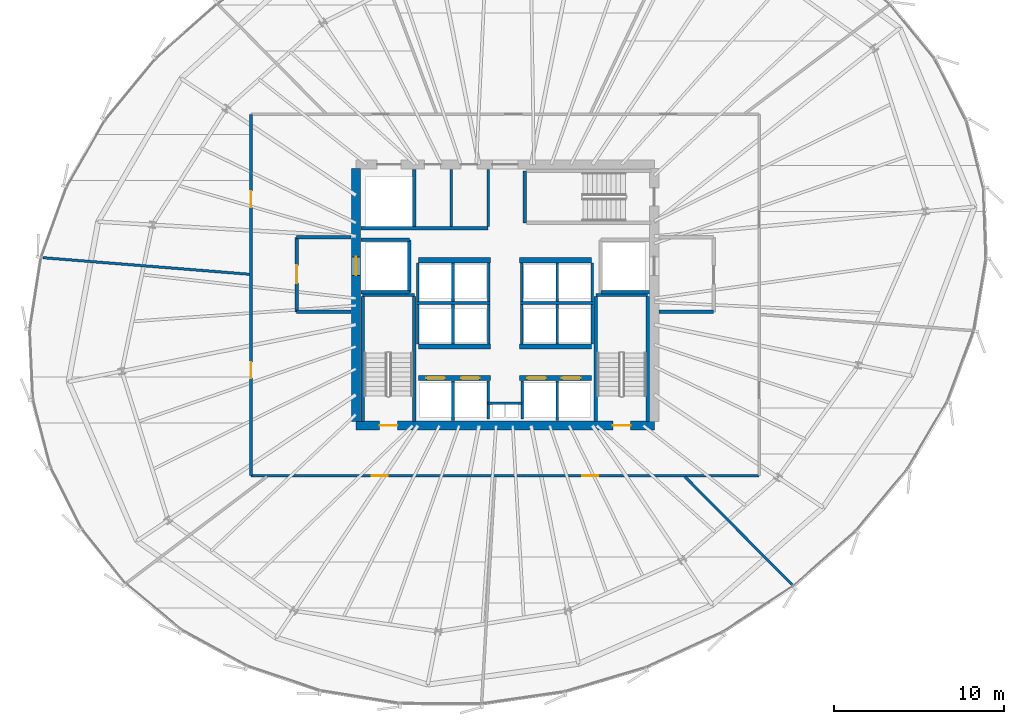
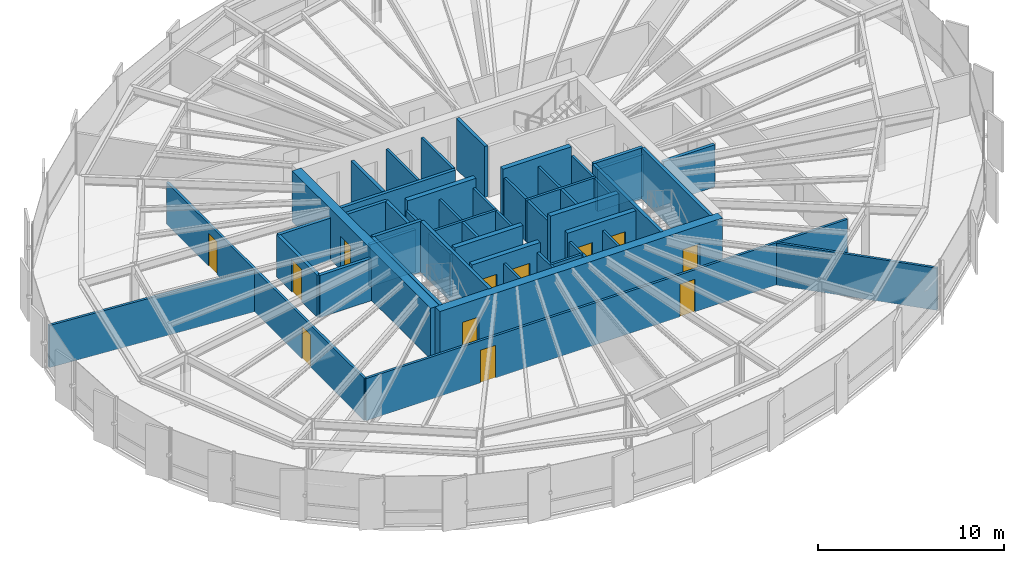
# One storey, part 27 of 33: 50 walls, 12 doors, 12 openings.
"""IFC4 building model written with IfcOpenShell, lengths in metres."""

from ifc_helpers import new_model, si_unit, direction, frame, frame_2d, origin, place, context, subcontext, project, spatial, rectangle, extrude, source, transform, mapped, material, layer, layer_set, type_object, element, fill, save


model = new_model("IFC4")

# Units and contexts
model_context = context("Model", 3, precision=1e-05, world=origin(), true_north=direction((0.0, 1.0)))
body_context = subcontext(model_context, "Body", "Model", "MODEL_VIEW")
ifc_project = project(units=[si_unit("LENGTHUNIT", "METRE"), si_unit("AREAUNIT", "SQUARE_METRE"), si_unit("VOLUMEUNIT", "CUBIC_METRE"), si_unit("PLANEANGLEUNIT", "RADIAN"), si_unit("MASSUNIT", "GRAM", prefix="KILO"), si_unit("THERMODYNAMICTEMPERATUREUNIT", "KELVIN")], contexts=[model_context])

# Site, building, storey
site_placement = place(None, origin())
site = spatial("IfcSite", under=ifc_project, at=site_placement, CompositionType="ELEMENT")
building_placement = place(site_placement, origin())
building = spatial("IfcBuilding", under=site, at=building_placement, Name="Kethvar Cultural Tower", CompositionType="ELEMENT")
storey_placement = place(building_placement, frame((0.0, 0.0, 118.0)))
storey = spatial("IfcBuildingStorey", under=building, at=storey_placement, Name="L29", CompositionType="ELEMENT", Elevation=118.0)

# Wall, openings, doors
ifc_material_1 = material(Name="Concrete C60/75", Category="concrete")
ifc_layer_1 = layer(ifc_material_1, 0.550048828125, Name="Concrete C60/75", Category="concrete")
ifc_layer_set_1 = layer_set([ifc_layer_1], Name="Concrete C60/75 (550 mm)")
wall_type_1 = type_object("IfcWallType", Name="WL-CORE-550", PredefinedType="SHEAR", material=ifc_layer_set_1)
wall_1_placement = place(storey_placement, frame((38.0, 20.10009765625, 0.0), z_axis=(0.0, 0.0, 1.0), x_axis=(1.0, 0.0, 0.0)))
wall_1 = element("IfcWall", 1, at=wall_1_placement, inside=storey, type_object=wall_type_1, Name="L29 Core Shear Wall S", PredefinedType="SHEAR", context=body_context, shape_type="SweptSolid", body=[
    extrude(rectangle(XDim=17.60009765625, YDim=0.550048828125, at=frame_2d((8.800048828125, 0.0))), origin(), (0.0, 0.0, 1.0), 3.35009765625),
])
opening_1_placement = place(wall_1_placement, frame((1.39990234375, 0.0, 0.0)))
opening_1 = element("IfcOpeningElement", 2, at=opening_1_placement, cuts=wall_1, Name="Opening D-L29-S1", PredefinedType="OPENING", context=body_context, shape_type="SweptSolid", body=[
    extrude(rectangle(XDim=1.050048828125, YDim=2.14990234375, at=frame_2d((0.52490234375, 1.074951171875))), frame((0.0, 0.284912109375, 0.0), z_axis=(0.0, -1.0, 0.0), x_axis=(1.0, 0.0, 0.0)), (0.0, 0.0, 1.0), 0.570068359375),
])
opening_2_placement = place(wall_1_placement, frame((15.14990234375, 0.0, 0.0)))
opening_2 = element("IfcOpeningElement", 3, at=opening_2_placement, cuts=wall_1, Name="Opening D-L29-ST2", PredefinedType="OPENING", context=body_context, shape_type="SweptSolid", body=[
    extrude(rectangle(XDim=1.050048828125, YDim=2.14990234375, at=frame_2d((0.52490234375, 1.074951171875))), frame((0.0, 0.284912109375, 0.0), z_axis=(0.0, -1.0, 0.0), x_axis=(1.0, 0.0, 0.0)), (0.0, 0.0, 1.0), 0.570068359375),
])
ifc_material_2 = material(Name="Steel S355J2", Category="steel")
door_type_1 = type_object("IfcDoorType", Name="DR-FD60-1050", OperationType="NOTDEFINED", PredefinedType="DOOR", material=ifc_material_2)
shared_shape_1 = source(origin(), body_context, "Body", "SweptSolid", [
    extrude(rectangle(XDim=1.050048828125, YDim=2.14990234375, at=frame_2d((0.52490234375, 1.074951171875))), frame((0.0, 0.02490234375, 0.0), z_axis=(0.0, -1.0, 0.0), x_axis=(1.0, 0.0, 0.0)), (0.0, 0.0, 1.0), 0.050048828125),
])
door_1_placement = place(opening_1_placement, origin())
door_1 = element("IfcDoor", 4, at=door_1_placement, inside=storey, type_object=door_type_1, Name="L29 Exit Stair 1 Door", OperationType="SINGLE_SWING_LEFT", OverallHeight=2.14990234375, OverallWidth=1.050048828125, PredefinedType="DOOR", context=body_context, shape_type="MappedRepresentation", body=[
    mapped(shared_shape_1, transform((0.0, 0.0, 0.0), scale=1.0)),
])
fill(opening_1, door_1)
door_2_placement = place(opening_2_placement, origin())
door_2 = element("IfcDoor", 5, at=door_2_placement, inside=storey, type_object=door_type_1, Name="L29 Exit Stair 2 Door", OperationType="SINGLE_SWING_RIGHT", OverallHeight=2.14990234375, OverallWidth=1.050048828125, PredefinedType="DOOR", context=body_context, shape_type="MappedRepresentation", body=[
    mapped(shared_shape_1, transform((0.0, 0.0, 0.0), scale=1.0)),
])
fill(opening_2, door_2)

# Wall, opening, door
wall_2_placement = place(storey_placement, frame((38.0, 35.260009765625, 0.0), z_axis=(0.0, 0.0, 1.0), x_axis=(0.0, -1.0, 0.0)))
wall_2 = element("IfcWall", 6, at=wall_2_placement, inside=storey, type_object=wall_type_1, Name="L29 Core Shear Wall W", PredefinedType="SHEAR", context=body_context, shape_type="SweptSolid", body=[
    extrude(rectangle(XDim=14.919921875, YDim=0.550048828125, at=frame_2d((7.4599609375, 0.0))), origin(), (0.0, 0.0, 1.0), 3.35009765625),
])
opening_3_placement = place(wall_2_placement, frame((5.2099609375, 0.0, 0.0)))
opening_3 = element("IfcOpeningElement", 7, at=opening_3_placement, cuts=wall_2, Name="Opening LD-1", PredefinedType="OPENING", context=body_context, shape_type="SweptSolid", body=[
    extrude(rectangle(XDim=1.10009765625, YDim=2.199951171875, at=frame_2d((0.550048828125, 1.10009765625))), frame((0.0, 0.284912109375, 0.0), z_axis=(0.0, -1.0, 0.0), x_axis=(1.0, 0.0, 0.0)), (0.0, 0.0, 1.0), 0.570068359375),
])
door_type_2 = type_object("IfcDoorType", Name="DR-LIFT-SLIDE-1100", OperationType="NOTDEFINED", PredefinedType="DOOR", material=ifc_material_2)
shared_shape_2 = source(origin(), body_context, "Body", "SweptSolid", [
    extrude(rectangle(XDim=1.10009765625, YDim=2.199951171875, at=frame_2d((0.550048828125, 1.10009765625))), frame((0.0, 0.02490234375, 0.0), z_axis=(0.0, -1.0, 0.0), x_axis=(1.0, 0.0, 0.0)), (0.0, 0.0, 1.0), 0.050048828125),
])
door_3_placement = place(opening_3_placement, origin())
door_3 = element("IfcDoor", 8, at=door_3_placement, inside=storey, type_object=door_type_2, Name="L29 Firefighting Lift Landing Door FFL-01", OperationType="SLIDING_TO_LEFT", OverallHeight=2.199951171875, OverallWidth=1.10009765625, PredefinedType="DOOR", context=body_context, shape_type="MappedRepresentation", body=[
    mapped(shared_shape_2, transform((0.0, 0.0, 0.0), scale=1.0)),
])
fill(opening_3, door_3)

# Walls
ifc_material_3 = material(Name="Gypsum Fireboard Partition")
ifc_layer_2 = layer(ifc_material_3, 0.14990234375, Name="Gypsum Fireboard Partition")
ifc_layer_set_2 = layer_set([ifc_layer_2], Name="Gypsum Fireboard Partition (150 mm)")
wall_type_2 = type_object("IfcWallType", Name="WL-FIRE-150", PredefinedType="PARTITIONING", material=ifc_layer_set_2)
wall_3_placement = place(storey_placement, frame((45.800048828125, 21.419921875, 0.0), z_axis=(0.0, 0.0, 1.0), x_axis=(1.0, 0.0, 0.0)))
element("IfcWall", 9, at=wall_3_placement, inside=storey, type_object=wall_type_2, Name="L29 Core Riser Wall", PredefinedType="PARTITIONING", context=body_context, shape_type="SweptSolid", body=[
    extrude(rectangle(XDim=2.0, YDim=0.14990234375, at=frame_2d((1.0, 0.0))), origin(), (0.0, 0.0, 1.0), 2.77490234375),
])
for number, where, z_axis, x_axis, name in (
    (10, (45.800048828125, 20.47998046875, 0.0), (0.0, 0.0, 1.0), (0.0, 1.0, 0.0), "L29 Core Riser West Wall"),
    (11, (47.800048828125, 20.47998046875, 0.0), (0.0, 0.0, 1.0), (0.0, 1.0, 0.0), "L29 Core Riser East Wall"),
):
    element("IfcWall", number, at=place(storey_placement, frame(where, z_axis=z_axis, x_axis=x_axis)), inside=storey, type_object=wall_type_2, Name=name, PredefinedType="PARTITIONING", context=body_context, shape_type="SweptSolid", body=[
        extrude(rectangle(XDim=2.239990234375, YDim=0.14990234375, at=frame_2d((1.1201171875, 0.0))), origin(), (0.0, 0.0, 1.0), 2.77490234375),
    ])
for number, where, z_axis, x_axis, name in (
    (12, (43.72509765625, 20.385009765625, 0.0), (0.0, 0.0, 1.0), (0.0, 1.0, 0.0), "L29 Low-Rise Lift Shaft Divider W"),
    (13, (49.875, 20.385009765625, 0.0), (0.0, 0.0, 1.0), (0.0, 1.0, 0.0), "L29 Low-Rise Lift Shaft Divider E"),
):
    element("IfcWall", number, at=place(storey_placement, frame(where, z_axis=z_axis, x_axis=x_axis)), inside=storey, type_object=wall_type_2, Name=name, PredefinedType="PARTITIONING", context=body_context, shape_type="SweptSolid", body=[
        extrude(rectangle(XDim=2.344970703125, YDim=0.14990234375, at=frame_2d((1.17236328125, 0.0))), origin(), (0.0, 0.0, 1.0), 2.77490234375),
    ])
wall_4_placement = place(storey_placement, frame((41.580078125, 27.324951171875, 0.0), z_axis=(0.0, 0.0, 1.0), x_axis=(1.0, 0.0, 0.0)))
element("IfcWall", 14, at=wall_4_placement, inside=storey, type_object=wall_type_2, Name="L29 Mid-High Lift Shaft Back Wall W", PredefinedType="PARTITIONING", context=body_context, shape_type="SweptSolid", body=[
    extrude(rectangle(XDim=4.31982421875, YDim=0.14990234375, at=frame_2d((2.159912109375, 0.0))), origin(), (0.0, 0.0, 1.0), 2.77490234375),
])
wall_5_placement = place(storey_placement, frame((47.699951171875, 27.324951171875, 0.0), z_axis=(0.0, 0.0, 1.0), x_axis=(1.0, 0.0, 0.0)))
element("IfcWall", 15, at=wall_5_placement, inside=storey, type_object=wall_type_2, Name="L29 Mid-High Lift Shaft Back Wall E", PredefinedType="PARTITIONING", context=body_context, shape_type="SweptSolid", body=[
    extrude(rectangle(XDim=4.320068359375, YDim=0.14990234375, at=frame_2d((2.16015625, 0.0))), origin(), (0.0, 0.0, 1.0), 2.77490234375),
])
for number, where, z_axis, x_axis, name in (
    (16, (41.64990234375, 24.919921875, 0.0), (0.0, 0.0, 1.0), (0.0, 1.0, 0.0), "L29 Mid-Rise Lift Shaft Outer Wall W"),
    (17, (43.72509765625, 24.919921875, 0.0), (0.0, 0.0, 1.0), (0.0, 1.0, 0.0), "L29 Mid-Rise Lift Shaft Divider W"),
    (18, (45.824951171875, 24.919921875, 0.0), (0.0, 0.0, 1.0), (0.0, 1.0, 0.0), "L29 Mid-Rise Lift Shaft Concourse Wall W"),
    (19, (47.77490234375, 24.919921875, 0.0), (0.0, 0.0, 1.0), (0.0, 1.0, 0.0), "L29 Mid-Rise Lift Shaft Concourse Wall E"),
    (20, (49.875, 24.919921875, 0.0), (0.0, 0.0, 1.0), (0.0, 1.0, 0.0), "L29 Mid-Rise Lift Shaft Divider E"),
    (21, (51.949951171875, 24.919921875, 0.0), (0.0, 0.0, 1.0), (0.0, 1.0, 0.0), "L29 Mid-Rise Lift Shaft Outer Wall E"),
):
    element("IfcWall", number, at=place(storey_placement, frame(where, z_axis=z_axis, x_axis=x_axis)), inside=storey, type_object=wall_type_2, Name=name, PredefinedType="PARTITIONING", context=body_context, shape_type="SweptSolid", body=[
        extrude(rectangle(XDim=2.320068359375, YDim=0.14990234375, at=frame_2d((1.16015625, 0.0))), origin(), (0.0, 0.0, 1.0), 2.77490234375),
    ])
for number, where, z_axis, x_axis, name in (
    (22, (41.64990234375, 27.409912109375, 0.0), (0.0, 0.0, 1.0), (0.0, 1.0, 0.0), "L29 High-Rise Lift Shaft Outer Wall W"),
    (23, (43.72509765625, 27.409912109375, 0.0), (0.0, 0.0, 1.0), (0.0, 1.0, 0.0), "L29 High-Rise Lift Shaft Divider W"),
    (24, (45.824951171875, 27.409912109375, 0.0), (0.0, 0.0, 1.0), (0.0, 1.0, 0.0), "L29 High-Rise Lift Shaft Concourse Wall W"),
    (25, (47.77490234375, 27.409912109375, 0.0), (0.0, 0.0, 1.0), (0.0, 1.0, 0.0), "L29 High-Rise Lift Shaft Concourse Wall E"),
    (26, (49.875, 27.409912109375, 0.0), (0.0, 0.0, 1.0), (0.0, 1.0, 0.0), "L29 High-Rise Lift Shaft Divider E"),
    (27, (51.949951171875, 27.409912109375, 0.0), (0.0, 0.0, 1.0), (0.0, 1.0, 0.0), "L29 High-Rise Lift Shaft Outer Wall E"),
):
    element("IfcWall", number, at=place(storey_placement, frame(where, z_axis=z_axis, x_axis=x_axis)), inside=storey, type_object=wall_type_2, Name=name, PredefinedType="PARTITIONING", context=body_context, shape_type="SweptSolid", body=[
        extrude(rectangle(XDim=2.27001953125, YDim=0.14990234375, at=frame_2d((1.135009765625, 0.0))), origin(), (0.0, 0.0, 1.0), 2.77490234375),
    ])
wall_6_placement = place(storey_placement, frame((45.800048828125, 31.85009765625, 0.0), z_axis=(0.0, 0.0, 1.0), x_axis=(0.0, 1.0, 0.0)))
element("IfcWall", 28, at=wall_6_placement, inside=storey, type_object=wall_type_2, Name="L29 Sanitary Spine Wall", PredefinedType="PARTITIONING", context=body_context, shape_type="SweptSolid", body=[
    extrude(rectangle(XDim=3.364990234375, YDim=0.14990234375, at=frame_2d((1.6826171875, 0.0))), origin(), (0.0, 0.0, 1.0), 2.77490234375),
])

# Wall, openings, doors
wall_7_placement = place(storey_placement, frame((31.81005859375, 17.139892578125, 0.0), z_axis=(0.0, 0.0, 1.0), x_axis=(1.0, 0.0, 0.0)))
wall_7 = element("IfcWall", 29, at=wall_7_placement, inside=storey, type_object=wall_type_2, Name="L29 Corridor Rated Wall S", PredefinedType="PARTITIONING", context=body_context, shape_type="SweptSolid", body=[
    extrude(rectangle(XDim=29.97998046875, YDim=0.14990234375, at=frame_2d((14.989990234375, 0.0))), origin(), (0.0, 0.0, 1.0), 2.77490234375),
])
opening_4_placement = place(wall_7_placement, frame((7.12890625, 0.0, 0.0)))
opening_4 = element("IfcOpeningElement", 30, at=opening_4_placement, cuts=wall_7, Name="Opening D-L29-01", PredefinedType="OPENING", context=body_context, shape_type="SweptSolid", body=[
    extrude(rectangle(XDim=0.949951171875, YDim=2.14990234375, at=frame_2d((0.47509765625, 1.074951171875))), frame((0.0, 0.0849609375, 0.0), z_axis=(0.0, -1.0, 0.0), x_axis=(1.0, 0.0, 0.0)), (0.0, 0.0, 1.0), 0.169921875),
])
opening_5_placement = place(wall_7_placement, frame((19.54443359375, 0.0, 0.0)))
opening_5 = element("IfcOpeningElement", 31, at=opening_5_placement, cuts=wall_7, Name="Opening D-L29-02", PredefinedType="OPENING", context=body_context, shape_type="SweptSolid", body=[
    extrude(rectangle(XDim=0.949951171875, YDim=2.14990234375, at=frame_2d((0.47509765625, 1.074951171875))), frame((0.0, 0.0849609375, 0.0), z_axis=(0.0, -1.0, 0.0), x_axis=(1.0, 0.0, 0.0)), (0.0, 0.0, 1.0), 0.169921875),
])
ifc_material_4 = material(Name="Architectural Oak Timber", Category="wood")
door_type_3 = type_object("IfcDoorType", Name="DR-FD30-950", OperationType="NOTDEFINED", PredefinedType="DOOR", material=ifc_material_4)
shared_shape_3 = source(origin(), body_context, "Body", "SweptSolid", [
    extrude(rectangle(XDim=0.949951171875, YDim=2.14990234375, at=frame_2d((0.47509765625, 1.074951171875))), frame((0.0, 0.02490234375, 0.0), z_axis=(0.0, -1.0, 0.0), x_axis=(1.0, 0.0, 0.0)), (0.0, 0.0, 1.0), 0.050048828125),
])
door_4_placement = place(opening_4_placement, origin())
door_4 = element("IfcDoor", 32, at=door_4_placement, inside=storey, type_object=door_type_3, Name="L29 Exhibition Print Shop 01 Door", OperationType="SINGLE_SWING_RIGHT", OverallHeight=2.14990234375, OverallWidth=0.949951171875, PredefinedType="DOOR", context=body_context, shape_type="MappedRepresentation", body=[
    mapped(shared_shape_3, transform((0.0, 0.0, 0.0), scale=1.0)),
])
fill(opening_4, door_4)
door_5_placement = place(opening_5_placement, origin())
door_5 = element("IfcDoor", 33, at=door_5_placement, inside=storey, type_object=door_type_3, Name="L29 Art Monograph Boutique 02 Door", OperationType="SINGLE_SWING_LEFT", OverallHeight=2.14990234375, OverallWidth=0.949951171875, PredefinedType="DOOR", context=body_context, shape_type="MappedRepresentation", body=[
    mapped(shared_shape_3, transform((0.0, 0.0, 0.0), scale=1.0)),
])
fill(opening_5, door_5)

wall_8_placement = place(storey_placement, frame((31.81005859375, 38.4599609375, 0.0), z_axis=(0.0, 0.0, 1.0), x_axis=(0.0, -1.0, 0.0)))
wall_8 = element("IfcWall", 34, at=wall_8_placement, inside=storey, type_object=wall_type_2, Name="L29 Corridor Rated Wall W", PredefinedType="PARTITIONING", context=body_context, shape_type="SweptSolid", body=[
    extrude(rectangle(XDim=21.320068359375, YDim=0.14990234375, at=frame_2d((10.66015625, 0.0))), origin(), (0.0, 0.0, 1.0), 2.77490234375),
])
opening_6_placement = place(wall_8_placement, frame((4.5380859375, 0.0, 0.0)))
opening_6 = element("IfcOpeningElement", 35, at=opening_6_placement, cuts=wall_8, Name="Opening D-L29-08", PredefinedType="OPENING", context=body_context, shape_type="SweptSolid", body=[
    extrude(rectangle(XDim=0.949951171875, YDim=2.14990234375, at=frame_2d((0.47509765625, 1.074951171875))), frame((0.0, 0.0849609375, 0.0), z_axis=(0.0, -1.0, 0.0), x_axis=(1.0, 0.0, 0.0)), (0.0, 0.0, 1.0), 0.169921875),
])
opening_7_placement = place(wall_8_placement, frame((14.617919921875, 0.0, 0.0)))
opening_7 = element("IfcOpeningElement", 36, at=opening_7_placement, cuts=wall_8, Name="Opening D-L29-09", PredefinedType="OPENING", context=body_context, shape_type="SweptSolid", body=[
    extrude(rectangle(XDim=0.949951171875, YDim=2.14990234375, at=frame_2d((0.47509765625, 1.074951171875))), frame((0.0, 0.0849609375, 0.0), z_axis=(0.0, -1.0, 0.0), x_axis=(1.0, 0.0, 0.0)), (0.0, 0.0, 1.0), 0.169921875),
])
door_6_placement = place(opening_6_placement, origin())
door_6 = element("IfcDoor", 37, at=door_6_placement, inside=storey, type_object=door_type_3, Name="L29 Docent Espresso Pantry 08 Door", OperationType="SINGLE_SWING_LEFT", OverallHeight=2.14990234375, OverallWidth=0.949951171875, PredefinedType="DOOR", context=body_context, shape_type="MappedRepresentation", body=[
    mapped(shared_shape_3, transform((0.0, 0.0, 0.0), scale=1.0)),
])
fill(opening_6, door_6)
door_7_placement = place(opening_7_placement, origin())
door_7 = element("IfcDoor", 38, at=door_7_placement, inside=storey, type_object=door_type_3, Name="L29 Scholars' Den Lounge 09 Door", OperationType="SINGLE_SWING_RIGHT", OverallHeight=2.14990234375, OverallWidth=0.949951171875, PredefinedType="DOOR", context=body_context, shape_type="MappedRepresentation", body=[
    mapped(shared_shape_3, transform((0.0, 0.0, 0.0), scale=1.0)),
])
fill(opening_7, door_7)

# Walls
ifc_material_5 = material(Name="Concrete C40/50", Category="concrete")
ifc_layer_3 = layer(ifc_material_5, 0.199951171875, Name="Concrete C40/50", Category="concrete")
ifc_layer_set_3 = layer_set([ifc_layer_3], Name="Concrete C40/50 (200 mm)")
wall_type_3 = type_object("IfcWallType", Name="WL-FIRE-200", PredefinedType="PARTITIONING", material=ifc_layer_set_3)
wall_9_placement = place(storey_placement, frame((41.14990234375, 27.949951171875, 0.0), z_axis=(0.0, 0.0, 1.0), x_axis=(0.0, 1.0, 0.0)))
element("IfcWall", 39, at=wall_9_placement, inside=storey, type_object=wall_type_3, Name="L29 FFL-01 Shaft Inner Wall", PredefinedType="PARTITIONING", context=body_context, shape_type="SweptSolid", body=[
    extrude(rectangle(XDim=3.10009765625, YDim=0.199951171875, at=frame_2d((1.550048828125, 0.0))), origin(), (0.0, 0.0, 1.0), 2.77490234375),
])
for number, where, z_axis, x_axis, name in (
    (40, (38.284912109375, 27.949951171875, 0.0), (0.0, 0.0, 1.0), (1.0, 0.0, 0.0), "L29 FFL-01 Shaft South Wall"),
    (41, (38.284912109375, 31.050048828125, 0.0), (0.0, 0.0, 1.0), (1.0, 0.0, 0.0), "L29 FFL-01 Shaft North Wall"),
):
    element("IfcWall", number, at=place(storey_placement, frame(where, z_axis=z_axis, x_axis=x_axis)), inside=storey, type_object=wall_type_3, Name=name, PredefinedType="PARTITIONING", context=body_context, shape_type="SweptSolid", body=[
        extrude(rectangle(XDim=2.864990234375, YDim=0.199951171875, at=frame_2d((1.4326171875, 0.0))), origin(), (0.0, 0.0, 1.0), 2.77490234375),
    ])

# Wall, opening, door
wall_10_placement = place(storey_placement, frame((34.5, 31.199951171875, 0.0), z_axis=(0.0, 0.0, 1.0), x_axis=(0.0, -1.0, 0.0)))
wall_10 = element("IfcWall", 42, at=wall_10_placement, inside=storey, type_object=wall_type_3, Name="L29 Firefighting Lobby 1 Wall", PredefinedType="PARTITIONING", context=body_context, shape_type="SweptSolid", body=[
    extrude(rectangle(XDim=4.39990234375, YDim=0.199951171875, at=frame_2d((2.199951171875, 0.0))), origin(), (0.0, 0.0, 1.0), 2.77490234375),
])
opening_8_placement = place(wall_10_placement, frame((1.64990234375, 0.0, 0.0)))
opening_8 = element("IfcOpeningElement", 43, at=opening_8_placement, cuts=wall_10, Name="Opening D-L29-F1", PredefinedType="OPENING", context=body_context, shape_type="SweptSolid", body=[
    extrude(rectangle(XDim=1.050048828125, YDim=2.14990234375, at=frame_2d((0.52490234375, 1.074951171875))), frame((0.0, 0.10986328125, 0.0), z_axis=(0.0, -1.0, 0.0), x_axis=(1.0, 0.0, 0.0)), (0.0, 0.0, 1.0), 0.219970703125),
])
door_8_placement = place(opening_8_placement, origin())
door_8 = element("IfcDoor", 44, at=door_8_placement, inside=storey, type_object=door_type_1, Name="L29 Firefighting Lobby 1 Fire Door", OperationType="SINGLE_SWING_LEFT", OverallHeight=2.14990234375, OverallWidth=1.050048828125, PredefinedType="DOOR", context=body_context, shape_type="MappedRepresentation", body=[
    mapped(shared_shape_1, transform((0.0, 0.0, 0.0), scale=1.0)),
])
fill(opening_8, door_8)

# Walls
for number, where, z_axis, x_axis, name in (
    (45, (34.5, 26.800048828125, 0.0), (0.0, 0.0, 1.0), (1.0, 0.0, 0.0), "L29 FF Lobby 1 South Wall"),
    (46, (34.5, 31.199951171875, 0.0), (0.0, 0.0, 1.0), (1.0, 0.0, 0.0), "L29 FF Lobby 1 North Wall"),
):
    element("IfcWall", number, at=place(storey_placement, frame(where, z_axis=z_axis, x_axis=x_axis)), inside=storey, type_object=wall_type_3, Name=name, PredefinedType="PARTITIONING", context=body_context, shape_type="SweptSolid", body=[
        extrude(rectangle(XDim=3.215087890625, YDim=0.199951171875, at=frame_2d((1.607421875, 0.0))), origin(), (0.0, 0.0, 1.0), 2.77490234375),
    ])
wall_11_placement = place(storey_placement, frame((52.449951171875, 27.949951171875, 0.0), z_axis=(0.0, 0.0, 1.0), x_axis=(1.0, 0.0, 0.0)))
element("IfcWall", 47, at=wall_11_placement, inside=storey, type_object=wall_type_3, Name="L29 FFL-02 Shaft South Wall", PredefinedType="PARTITIONING", context=body_context, shape_type="SweptSolid", body=[
    extrude(rectangle(XDim=2.864990234375, YDim=0.199951171875, at=frame_2d((1.4326171875, 0.0))), origin(), (0.0, 0.0, 1.0), 2.77490234375),
])
wall_12_placement = place(storey_placement, frame((55.885009765625, 26.800048828125, 0.0), z_axis=(0.0, 0.0, 1.0), x_axis=(1.0, 0.0, 0.0)))
element("IfcWall", 48, at=wall_12_placement, inside=storey, type_object=wall_type_3, Name="L29 FF Lobby 2 South Wall", PredefinedType="PARTITIONING", context=body_context, shape_type="SweptSolid", body=[
    extrude(rectangle(XDim=3.215087890625, YDim=0.199951171875, at=frame_2d((1.607421875, 0.0))), origin(), (0.0, 0.0, 1.0), 2.77490234375),
])
wall_13_placement = place(storey_placement, frame((41.449951171875, 31.85009765625, 0.0), z_axis=(0.0, 0.0, 1.0), x_axis=(0.0, 1.0, 0.0)))
element("IfcWall", 49, at=wall_13_placement, inside=storey, type_object=wall_type_3, Name="L29 NW Core Pocket Wall", PredefinedType="PARTITIONING", context=body_context, shape_type="SweptSolid", body=[
    extrude(rectangle(XDim=3.364990234375, YDim=0.199951171875, at=frame_2d((1.6826171875, 0.0))), origin(), (0.0, 0.0, 1.0), 2.77490234375),
])
wall_14_placement = place(storey_placement, frame((38.284912109375, 31.72998046875, 0.0), z_axis=(0.0, 0.0, 1.0), x_axis=(1.0, 0.0, 0.0)))
element("IfcWall", 50, at=wall_14_placement, inside=storey, type_object=wall_type_3, Name="L29 North Core Sanitary South Wall", PredefinedType="PARTITIONING", context=body_context, shape_type="SweptSolid", body=[
    extrude(rectangle(XDim=7.51513671875, YDim=0.199951171875, at=frame_2d((3.757568359375, 0.0))), origin(), (0.0, 0.0, 1.0), 2.77490234375),
])
ifc_material_6 = material(Name="Gypsum Acoustic Partition")
ifc_layer_4 = layer(ifc_material_6, 0.14990234375, Name="Gypsum Acoustic Partition")
ifc_layer_set_4 = layer_set([ifc_layer_4], Name="Gypsum Acoustic Partition (150 mm)")
wall_type_4 = type_object("IfcWallType", Name="WL-PART-150", PredefinedType="PARTITIONING", material=ifc_layer_set_4)
wall_15_placement = place(storey_placement, frame((57.405029296875, 17.083251953125, 0.0), z_axis=(0.0, 0.0, 1.0), x_axis=(0.703901110521, -0.710297984375, 0.0)))
element("IfcWall", 51, at=wall_15_placement, inside=storey, type_object=wall_type_4, Name="L29 Radial Partition Wall 03", PredefinedType="PARTITIONING", context=body_context, shape_type="SweptSolid", body=[
    extrude(rectangle(XDim=8.968994140625, YDim=0.14990234375, at=frame_2d((4.484375, 0.0))), origin(), (0.0, 0.0, 1.0), 2.77490234375),
])
wall_16_placement = place(storey_placement, frame((31.730224609375, 29.02001953125, 0.0), z_axis=(0.0, 0.0, 1.0), x_axis=(-0.99679742231, 0.079968111622, 0.0)))
element("IfcWall", 52, at=wall_16_placement, inside=storey, type_object=wall_type_4, Name="L29 Radial Partition Wall 09", PredefinedType="PARTITIONING", context=body_context, shape_type="SweptSolid", body=[
    extrude(rectangle(XDim=12.233154296875, YDim=0.14990234375, at=frame_2d((6.11669921875, 0.0))), origin(), (0.0, 0.0, 1.0), 2.77490234375),
])
ifc_material_7 = material(Name="Moisture-Resistant Sanitary Chase Wall")
ifc_layer_5 = layer(ifc_material_7, 0.14990234375, Name="Moisture-Resistant Sanitary Chase Wall")
ifc_layer_set_5 = layer_set([ifc_layer_5], Name="Moisture-Resistant Sanitary Chase Wall (150 mm)")
wall_type_5 = type_object("IfcWallType", Name="WL-PLUMB-150", PredefinedType="PLUMBINGWALL", material=ifc_layer_set_5)
wall_17_placement = place(storey_placement, frame((43.6201171875, 31.85009765625, 0.0), z_axis=(0.0, 0.0, 1.0), x_axis=(0.0, 1.0, 0.0)))
element("IfcWall", 53, at=wall_17_placement, inside=storey, type_object=wall_type_5, Name="L29 Sanitary Plumbing Wall", PredefinedType="PLUMBINGWALL", context=body_context, shape_type="SweptSolid", body=[
    extrude(rectangle(XDim=3.364990234375, YDim=0.14990234375, at=frame_2d((1.6826171875, 0.0))), origin(), (0.0, 0.0, 1.0), 2.77490234375),
])

# Wall, openings, doors
ifc_material_8 = material(Name="Concrete C50/60", Category="concrete")
ifc_layer_6 = layer(ifc_material_8, 0.300048828125, Name="Concrete C50/60", Category="concrete")
ifc_layer_set_6 = layer_set([ifc_layer_6], Name="Concrete C50/60 (300 mm)")
wall_type_6 = type_object("IfcWallType", Name="WL-SHAFT-300", PredefinedType="SHEAR", material=ifc_layer_set_6)
wall_18_placement = place(storey_placement, frame((41.699951171875, 22.89990234375, 0.0), z_axis=(0.0, 0.0, 1.0), x_axis=(1.0, 0.0, 0.0)))
wall_18 = element("IfcWall", 54, at=wall_18_placement, inside=storey, type_object=wall_type_6, Name="L29 Core Lift Spine Wall MID1W", PredefinedType="SHEAR", context=body_context, shape_type="SweptSolid", body=[
    extrude(rectangle(XDim=4.25, YDim=0.300048828125, at=frame_2d((2.125, 0.0))), origin(), (0.0, 0.0, 1.0), 3.35009765625),
])
opening_9_placement = place(wall_18_placement, frame((0.449951171875, 0.0, 0.0)))
opening_9 = element("IfcOpeningElement", 55, at=opening_9_placement, cuts=wall_18, Name="Opening LD-L1", PredefinedType="OPENING", context=body_context, shape_type="SweptSolid", body=[
    extrude(rectangle(XDim=1.10009765625, YDim=2.199951171875, at=frame_2d((0.550048828125, 1.10009765625))), frame((0.0, 0.159912109375, 0.0), z_axis=(0.0, -1.0, 0.0), x_axis=(1.0, 0.0, 0.0)), (0.0, 0.0, 1.0), 0.320068359375),
])
opening_10_placement = place(wall_18_placement, frame((2.5, 0.0, 0.0)))
opening_10 = element("IfcOpeningElement", 56, at=opening_10_placement, cuts=wall_18, Name="Opening LD-L2", PredefinedType="OPENING", context=body_context, shape_type="SweptSolid", body=[
    extrude(rectangle(XDim=1.10009765625, YDim=2.199951171875, at=frame_2d((0.550048828125, 1.10009765625))), frame((0.0, 0.159912109375, 0.0), z_axis=(0.0, -1.0, 0.0), x_axis=(1.0, 0.0, 0.0)), (0.0, 0.0, 1.0), 0.320068359375),
])
door_9_placement = place(opening_9_placement, origin())
door_9 = element("IfcDoor", 57, at=door_9_placement, inside=storey, type_object=door_type_2, Name="L29 Low-Rise Lift Landing Door L1", OperationType="SLIDING_TO_LEFT", OverallHeight=2.199951171875, OverallWidth=1.10009765625, PredefinedType="DOOR", context=body_context, shape_type="MappedRepresentation", body=[
    mapped(shared_shape_2, transform((0.0, 0.0, 0.0), scale=1.0)),
])
fill(opening_9, door_9)
door_10_placement = place(opening_10_placement, origin())
door_10 = element("IfcDoor", 58, at=door_10_placement, inside=storey, type_object=door_type_2, Name="L29 Low-Rise Lift Landing Door L2", OperationType="SLIDING_TO_LEFT", OverallHeight=2.199951171875, OverallWidth=1.10009765625, PredefinedType="DOOR", context=body_context, shape_type="MappedRepresentation", body=[
    mapped(shared_shape_2, transform((0.0, 0.0, 0.0), scale=1.0)),
])
fill(opening_10, door_10)

wall_19_placement = place(storey_placement, frame((47.64990234375, 22.89990234375, 0.0), z_axis=(0.0, 0.0, 1.0), x_axis=(1.0, 0.0, 0.0)))
wall_19 = element("IfcWall", 59, at=wall_19_placement, inside=storey, type_object=wall_type_6, Name="L29 Core Lift Spine Wall MID1E", PredefinedType="SHEAR", context=body_context, shape_type="SweptSolid", body=[
    extrude(rectangle(XDim=4.25, YDim=0.300048828125, at=frame_2d((2.125, 0.0))), origin(), (0.0, 0.0, 1.0), 3.35009765625),
])
opening_11_placement = place(wall_19_placement, frame((0.449951171875, 0.0, 0.0)))
opening_11 = element("IfcOpeningElement", 60, at=opening_11_placement, cuts=wall_19, Name="Opening LD-L3", PredefinedType="OPENING", context=body_context, shape_type="SweptSolid", body=[
    extrude(rectangle(XDim=1.10009765625, YDim=2.199951171875, at=frame_2d((0.550048828125, 1.10009765625))), frame((0.0, 0.159912109375, 0.0), z_axis=(0.0, -1.0, 0.0), x_axis=(1.0, 0.0, 0.0)), (0.0, 0.0, 1.0), 0.320068359375),
])
opening_12_placement = place(wall_19_placement, frame((2.5, 0.0, 0.0)))
opening_12 = element("IfcOpeningElement", 61, at=opening_12_placement, cuts=wall_19, Name="Opening LD-L4", PredefinedType="OPENING", context=body_context, shape_type="SweptSolid", body=[
    extrude(rectangle(XDim=1.10009765625, YDim=2.199951171875, at=frame_2d((0.550048828125, 1.10009765625))), frame((0.0, 0.159912109375, 0.0), z_axis=(0.0, -1.0, 0.0), x_axis=(1.0, 0.0, 0.0)), (0.0, 0.0, 1.0), 0.320068359375),
])
door_11_placement = place(opening_11_placement, origin())
door_11 = element("IfcDoor", 62, at=door_11_placement, inside=storey, type_object=door_type_2, Name="L29 Low-Rise Lift Landing Door L3", OperationType="SLIDING_TO_LEFT", OverallHeight=2.199951171875, OverallWidth=1.10009765625, PredefinedType="DOOR", context=body_context, shape_type="MappedRepresentation", body=[
    mapped(shared_shape_2, transform((0.0, 0.0, 0.0), scale=1.0)),
])
fill(opening_11, door_11)
door_12_placement = place(opening_12_placement, origin())
door_12 = element("IfcDoor", 63, at=door_12_placement, inside=storey, type_object=door_type_2, Name="L29 Low-Rise Lift Landing Door L4", OperationType="SLIDING_TO_LEFT", OverallHeight=2.199951171875, OverallWidth=1.10009765625, PredefinedType="DOOR", context=body_context, shape_type="MappedRepresentation", body=[
    mapped(shared_shape_2, transform((0.0, 0.0, 0.0), scale=1.0)),
])
fill(opening_12, door_12)

# Walls
for number, where, z_axis, x_axis, name in (
    (64, (41.699951171875, 24.75, 0.0), (0.0, 0.0, 1.0), (1.0, 0.0, 0.0), "L29 Core Lift Spine Wall MID2W"),
    (65, (47.64990234375, 24.75, 0.0), (0.0, 0.0, 1.0), (1.0, 0.0, 0.0), "L29 Core Lift Spine Wall MID2E"),
    (66, (41.699951171875, 29.85009765625, 0.0), (0.0, 0.0, 1.0), (1.0, 0.0, 0.0), "L29 Core Lift Spine Wall MID3W"),
    (67, (47.64990234375, 29.85009765625, 0.0), (0.0, 0.0, 1.0), (1.0, 0.0, 0.0), "L29 Core Lift Spine Wall MID3E"),
):
    element("IfcWall", number, at=place(storey_placement, frame(where, z_axis=z_axis, x_axis=x_axis)), inside=storey, type_object=wall_type_6, Name=name, PredefinedType="SHEAR", context=body_context, shape_type="SweptSolid", body=[
        extrude(rectangle(XDim=4.25, YDim=0.300048828125, at=frame_2d((2.125, 0.0))), origin(), (0.0, 0.0, 1.0), 3.35009765625),
    ])
ifc_layer_7 = layer(ifc_material_8, 0.199951171875, Name="Concrete C50/60", Category="concrete")
ifc_layer_set_7 = layer_set([ifc_layer_7], Name="Concrete C50/60 (200 mm)")
wall_type_7 = type_object("IfcWallType", Name="WL-STSHAFT-200", PredefinedType="SHEAR", material=ifc_layer_set_7)
wall_20_placement = place(storey_placement, frame((38.389892578125, 27.800048828125, 0.0), z_axis=(0.0, 0.0, 1.0), x_axis=(1.0, 0.0, 0.0)))
element("IfcWall", 68, at=wall_20_placement, inside=storey, type_object=wall_type_7, Name="L29 ST-01 Stair Shaft Wall FAR", PredefinedType="SHEAR", context=body_context, shape_type="SweptSolid", body=[
    extrude(rectangle(XDim=3.06005859375, YDim=0.199951171875, at=frame_2d((1.530029296875, 0.0))), origin(), (0.0, 0.0, 1.0), 3.35009765625),
])
for number, where, z_axis, x_axis, name in (
    (69, (41.449951171875, 27.699951171875, 0.0), (0.0, 0.0, 1.0), (0.0, -1.0, 0.0), "L29 ST-01 Stair Shaft Wall LEFT"),
    (70, (38.389892578125, 20.35009765625, 0.0), (0.0, 0.0, 1.0), (0.0, 1.0, 0.0), "L29 ST-01 Stair Shaft Wall RIGHT"),
):
    element("IfcWall", number, at=place(storey_placement, frame(where, z_axis=z_axis, x_axis=x_axis)), inside=storey, type_object=wall_type_7, Name=name, PredefinedType="SHEAR", context=body_context, shape_type="SweptSolid", body=[
        extrude(rectangle(XDim=7.349853515625, YDim=0.199951171875, at=frame_2d((3.6748046875, 0.0))), origin(), (0.0, 0.0, 1.0), 3.35009765625),
    ])
wall_21_placement = place(storey_placement, frame((52.14990234375, 27.800048828125, 0.0), z_axis=(0.0, 0.0, 1.0), x_axis=(1.0, 0.0, 0.0)))
element("IfcWall", 71, at=wall_21_placement, inside=storey, type_object=wall_type_7, Name="L29 ST-02 Stair Shaft Wall FAR", PredefinedType="SHEAR", context=body_context, shape_type="SweptSolid", body=[
    extrude(rectangle(XDim=3.06005859375, YDim=0.199951171875, at=frame_2d((1.530029296875, 0.0))), origin(), (0.0, 0.0, 1.0), 3.35009765625),
])
for number, where, z_axis, x_axis, name in (
    (72, (55.2099609375, 27.699951171875, 0.0), (0.0, 0.0, 1.0), (0.0, -1.0, 0.0), "L29 ST-02 Stair Shaft Wall LEFT"),
    (73, (52.14990234375, 20.35009765625, 0.0), (0.0, 0.0, 1.0), (0.0, 1.0, 0.0), "L29 ST-02 Stair Shaft Wall RIGHT"),
):
    element("IfcWall", number, at=place(storey_placement, frame(where, z_axis=z_axis, x_axis=x_axis)), inside=storey, type_object=wall_type_7, Name=name, PredefinedType="SHEAR", context=body_context, shape_type="SweptSolid", body=[
        extrude(rectangle(XDim=7.349853515625, YDim=0.199951171875, at=frame_2d((3.6748046875, 0.0))), origin(), (0.0, 0.0, 1.0), 3.35009765625),
    ])
wall_22_placement = place(storey_placement, frame((47.949951171875, 32.050048828125, 0.0), z_axis=(0.0, 0.0, 1.0), x_axis=(0.0, 1.0, 0.0)))
element("IfcWall", 74, at=wall_22_placement, inside=storey, type_object=wall_type_7, Name="L29 ST-03 Stair Shaft Wall FAR", PredefinedType="SHEAR", context=body_context, shape_type="SweptSolid", body=[
    extrude(rectangle(XDim=3.06005859375, YDim=0.199951171875, at=frame_2d((1.530029296875, 0.0))), origin(), (0.0, 0.0, 1.0), 3.35009765625),
])

save(model, "model.ifc")
